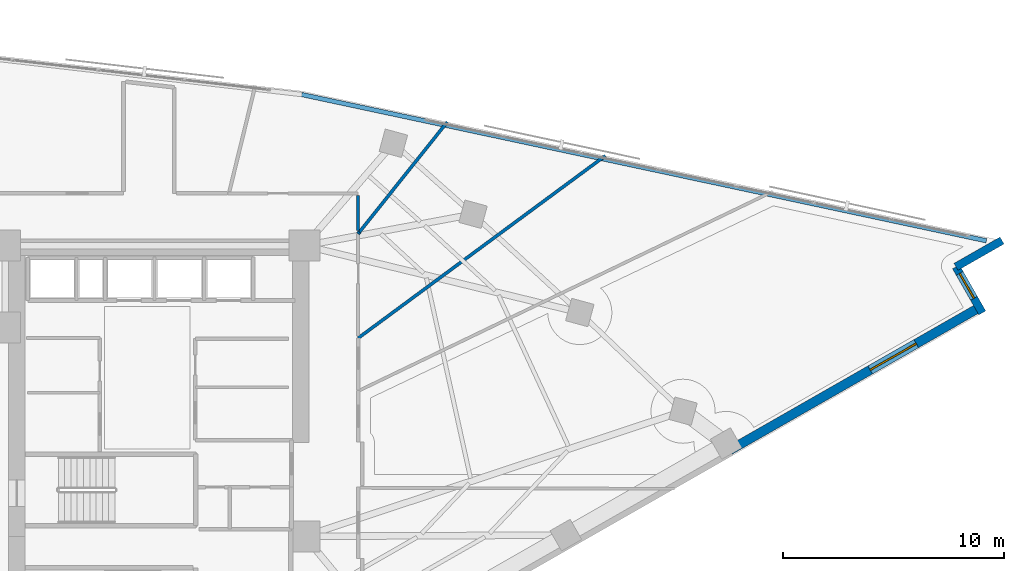
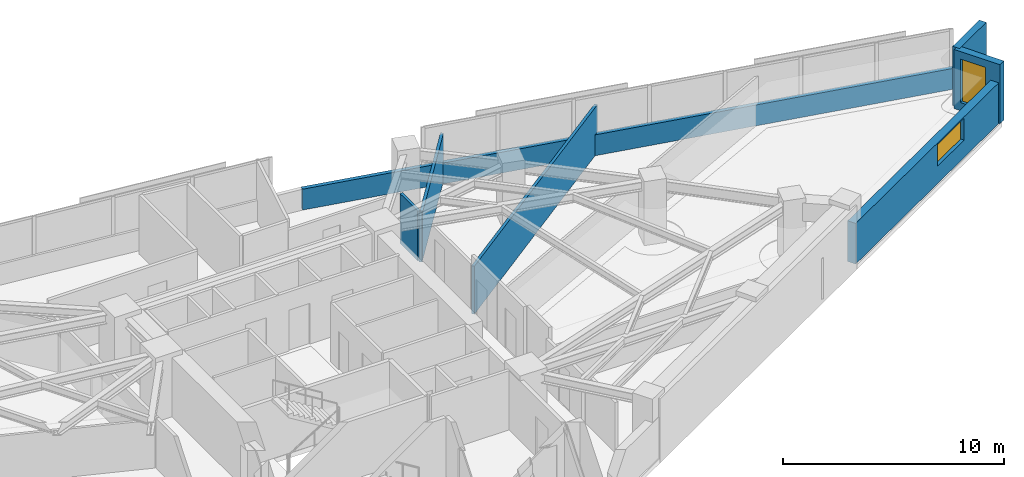
# One storey, part 11 of 14: 8 walls, 2 windows, 2 openings.
"""IFC4 building model written with IfcOpenShell, lengths in metres."""

from ifc_helpers import new_model, si_unit, direction, frame, frame_2d, origin, place, context, subcontext, project, spatial, rectangle, extrude, material, layer, layer_set, type_object, element, fill, save


model = new_model("IFC4")

# Units and contexts
model_context = context("Model", 3, precision=1e-05, world=origin(), true_north=direction((0.0, 1.0)))
body_context = subcontext(model_context, "Body", "Model", "MODEL_VIEW")
ifc_project = project(units=[si_unit("LENGTHUNIT", "METRE"), si_unit("AREAUNIT", "SQUARE_METRE"), si_unit("VOLUMEUNIT", "CUBIC_METRE"), si_unit("PLANEANGLEUNIT", "RADIAN"), si_unit("MASSUNIT", "GRAM", prefix="KILO")], contexts=[model_context])

# Site, building, storey
site_placement = place(None, origin())
site = spatial("IfcSite", under=ifc_project, at=site_placement, CompositionType="ELEMENT")
building_placement = place(site_placement, origin())
building = spatial("IfcBuilding", under=site, at=building_placement, Name="Narakoshi Arena Tower", CompositionType="ELEMENT")
storey_placement = place(building_placement, frame((0.0, 0.0, 204.419921875)))
storey = spatial("IfcBuildingStorey", under=building, at=storey_placement, Name="L55", CompositionType="ELEMENT", Elevation=204.419921875)

# Wall
ifc_material_1 = material(Name="Precast concrete C45/55", Category="concrete")
ifc_layer_1 = layer(ifc_material_1, 0.25)
ifc_layer_set_1 = layer_set([ifc_layer_1], Name="Precast concrete C45/55")
wall_type_1 = type_object("IfcWallType", Name="WL-PARA-250", PredefinedType="PARAPET", material=ifc_layer_set_1)
wall_1_placement = place(storey_placement, frame((116.3955078125, 56.7216796875, 0.0), z_axis=(0.0, 0.0, 1.0), x_axis=(-0.977936620644, 0.208901809478, 0.0)))
element("IfcWall", 1, at=wall_1_placement, inside=storey, type_object=wall_type_1, Name="L55 Hypotenuse Sill Upstand Parapet 1-01", PredefinedType="PARAPET", context=body_context, shape_type="SweptSolid", body=[
    extrude(rectangle(XDim=31.685302734375, YDim=0.199951171875, at=frame_2d((15.8427734375, 0.0))), origin(), (0.0, 0.0, 1.0), 1.150146484375),
])

# Wall, opening, window
ifc_layer_2 = layer(ifc_material_1, 0.419921875)
ifc_layer_set_2 = layer_set([ifc_layer_2], Name="Precast concrete C45/55")
wall_type_2 = type_object("IfcWallType", Name="WL-POD-420", PredefinedType="SOLIDWALL", material=ifc_layer_set_2)
wall_2_placement = place(storey_placement, frame((104.791015625, 47.25048828125, 0.0), z_axis=(0.0, 0.0, 1.0), x_axis=(0.868193423982, 0.496225934987, 0.0)))
wall_2 = element("IfcWall", 2, at=wall_2_placement, inside=storey, type_object=wall_type_2, Name="L55 Architectural Concrete Facade Wall LEGA-4", PredefinedType="SOLIDWALL", context=body_context, shape_type="SweptSolid", body=[
    extrude(rectangle(XDim=12.9951171875, YDim=0.419921875, at=frame_2d((6.49755859375, 0.0))), origin(), (0.0, 0.0, 1.0), 2.2451171875),
])
opening_1_placement = place(wall_2_placement, frame((7.309814453125, 0.0, 0.965087890625)))
opening_1 = element("IfcOpeningElement", 3, at=opening_1_placement, cuts=wall_2, Name="Opening WN-04", PredefinedType="OPENING", context=body_context, shape_type="SweptSolid", body=[
    extrude(rectangle(XDim=2.39990234375, YDim=1.199951171875, at=frame_2d((1.199951171875, 0.60009765625))), frame((0.0, 0.219970703125, 0.0), z_axis=(0.0, -1.0, 0.0), x_axis=(1.0, 0.0, 0.0)), (0.0, 0.0, 1.0), 0.43994140625),
])
ifc_material_2 = material(Name="Bronze-tinted low-E laminated glass", Category="glass")
window_type_1 = type_object("IfcWindowType", Name="WIN-SLT-24x12", PartitioningType="SINGLE_PANEL", PredefinedType="WINDOW", material=ifc_material_2)
window_1_placement = place(opening_1_placement, origin())
window_1 = element("IfcWindow", 4, at=window_1_placement, inside=storey, type_object=window_type_1, Name="L55 LEGA4 Horizontal Slot Window 1", OverallHeight=1.199951171875, OverallWidth=2.39990234375, PartitioningType="SINGLE_PANEL", PredefinedType="WINDOW", context=body_context, shape_type="SweptSolid", body=[
    extrude(rectangle(XDim=2.39990234375, YDim=1.199951171875, at=frame_2d((1.199951171875, 0.60009765625))), frame((0.0, 0.030029296875, 0.0), z_axis=(0.0, -1.0, 0.0), x_axis=(1.0, 0.0, 0.0)), (0.0, 0.0, 1.0), 0.06005859375),
])
fill(opening_1, window_1)

wall_3_placement = place(storey_placement, frame((116.209716796875, 53.460205078125, 0.0), z_axis=(0.0, 0.0, 1.0), x_axis=(-0.496215637313, 0.868199309655, 0.0)))
wall_3 = element("IfcWall", 5, at=wall_3_placement, inside=storey, type_object=wall_type_2, Name="L55 Re-Entrant Corner Notch Wall NTE-1", PredefinedType="SOLIDWALL", context=body_context, shape_type="SweptSolid", body=[
    extrude(rectangle(XDim=2.3994140625, YDim=0.360107421875, at=frame_2d((1.19970703125, 0.0))), origin(), (0.0, 0.0, 1.0), 3.260009765625),
])
opening_2_placement = place(wall_3_placement, frame((0.759765625, 0.0, 0.449951171875)))
opening_2 = element("IfcOpeningElement", 6, at=opening_2_placement, cuts=wall_3, Name="Opening WN-06", PredefinedType="OPENING", context=body_context, shape_type="SweptSolid", body=[
    extrude(rectangle(XDim=1.300048828125, YDim=2.39990234375, at=frame_2d((0.64990234375, 1.199951171875))), frame((0.0, 0.18994140625, 0.0), z_axis=(0.0, -1.0, 0.0), x_axis=(1.0, 0.0, 0.0)), (0.0, 0.0, 1.0), 0.380126953125),
])
window_type_2 = type_object("IfcWindowType", Name="WIN-NTC-16x24", PartitioningType="SINGLE_PANEL", PredefinedType="WINDOW", material=ifc_material_2)
window_2_placement = place(opening_2_placement, origin())
window_2 = element("IfcWindow", 7, at=window_2_placement, inside=storey, type_object=window_type_2, Name="L55 Corner Notch Window NTE", OverallHeight=2.39990234375, OverallWidth=1.300048828125, PartitioningType="SINGLE_PANEL", PredefinedType="WINDOW", context=body_context, shape_type="SweptSolid", body=[
    extrude(rectangle(XDim=1.300048828125, YDim=2.39990234375, at=frame_2d((0.64990234375, 1.199951171875))), frame((0.0, 0.030029296875, 0.0), z_axis=(0.0, -1.0, 0.0), x_axis=(1.0, 0.0, 0.0)), (0.0, 0.0, 1.0), 0.06005859375),
])
fill(opening_2, window_2)

# Walls
wall_4_placement = place(storey_placement, frame((115.01904296875, 55.54345703125, 0.0), z_axis=(0.0, 0.0, 1.0), x_axis=(0.86818053093, 0.4962484919, 0.0)))
element("IfcWall", 8, at=wall_4_placement, inside=storey, type_object=wall_type_2, Name="L55 Re-Entrant Corner Notch Wall NTE-2", PredefinedType="SOLIDWALL", context=body_context, shape_type="SweptSolid", body=[
    extrude(rectangle(XDim=2.39990234375, YDim=0.360107421875, at=frame_2d((1.199951171875, 0.0))), origin(), (0.0, 0.0, 1.0), 3.260009765625),
])
ifc_material_3 = material(Name="Moisture-resistant cement-board partition")
ifc_layer_3 = layer(ifc_material_3, 0.14501953125)
ifc_layer_set_3 = layer_set([ifc_layer_3], Name="Moisture-resistant cement-board partition")
wall_type_3 = type_object("IfcWallType", Name="WL-WET-145", PredefinedType="PARTITIONING", material=ifc_layer_set_3)
wall_5_placement = place(storey_placement, frame((87.966796875, 52.31689453125, 0.0), z_axis=(0.0, 0.0, 1.0), x_axis=(0.804642818132, 0.593759155911, 0.0)))
element("IfcWall", 9, at=wall_5_placement, inside=storey, type_object=wall_type_3, Name="L55 Inter-Room Partition 04-05", PredefinedType="PARTITIONING", context=body_context, shape_type="SweptSolid", body=[
    extrude(rectangle(XDim=13.898193359375, YDim=0.14501953125, at=frame_2d((6.94921875, 0.0))), origin(), (0.0, 0.0, 1.0), 2.64501953125),
])
wall_6_placement = place(storey_placement, frame((87.966796875, 57.043212890625, 0.0), z_axis=(0.0, 0.0, 1.0), x_axis=(0.62407609663, 0.781363568139, 0.0)))
element("IfcWall", 10, at=wall_6_placement, inside=storey, type_object=wall_type_3, Name="L55 Corridor Partition 05-2", PredefinedType="PARTITIONING", context=body_context, shape_type="SweptSolid", body=[
    extrude(rectangle(XDim=0.09619140625, YDim=0.14501953125, at=frame_2d((0.048095703125, 0.0))), origin(), (0.0, 0.0, 1.0), 2.7451171875),
])
wall_7_placement = place(storey_placement, frame((88.026611328125, 57.118408203125, 0.0), z_axis=(0.0, 0.0, 1.0), x_axis=(0.623829889611, 0.781560150486, 0.0)))
element("IfcWall", 11, at=wall_7_placement, inside=storey, type_object=wall_type_3, Name="L55 Inter-Room Partition 05-06", PredefinedType="PARTITIONING", context=body_context, shape_type="SweptSolid", body=[
    extrude(rectangle(XDim=6.369384765625, YDim=0.14501953125, at=frame_2d((3.1845703125, 0.0))), origin(), (0.0, 0.0, 1.0), 2.64501953125),
])
wall_8_placement = place(storey_placement, frame((87.966796875, 57.1787109375, 0.0), z_axis=(0.0, 0.0, 1.0), x_axis=(0.0, 1.0, 0.0)))
element("IfcWall", 12, at=wall_8_placement, inside=storey, type_object=wall_type_3, Name="L55 Corridor Partition 06-2", PredefinedType="PARTITIONING", context=body_context, shape_type="SweptSolid", body=[
    extrude(rectangle(XDim=1.603515625, YDim=0.14501953125, at=frame_2d((0.8017578125, 0.0))), origin(), (0.0, 0.0, 1.0), 2.7451171875),
])

save(model, "model.ifc")
